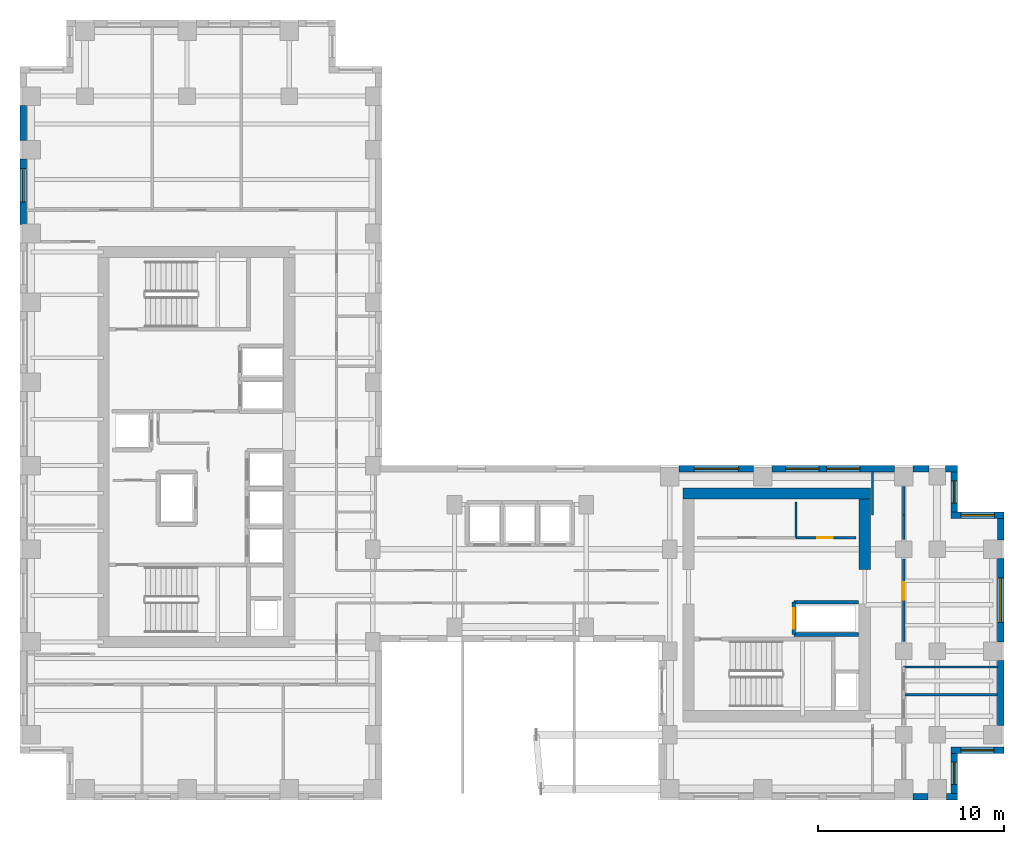
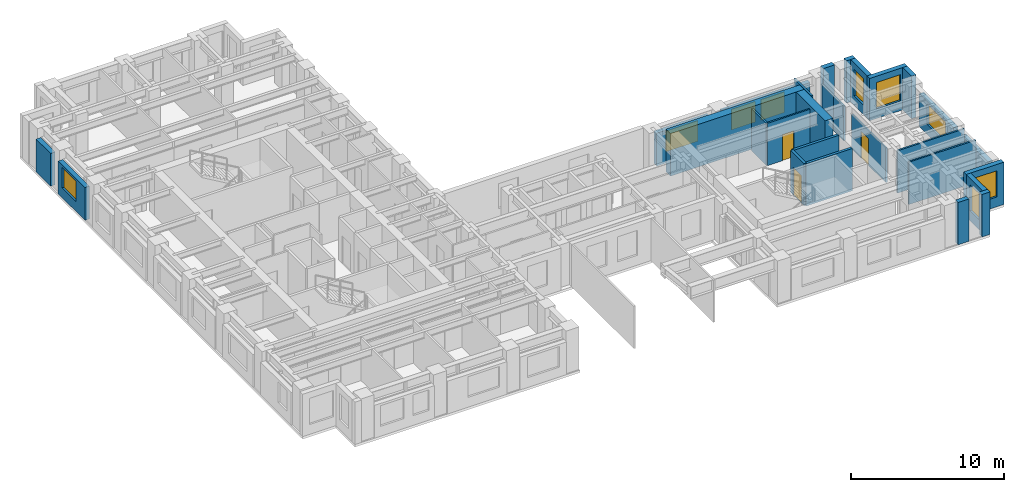
# One storey, part 10 of 13: 28 walls, 9 windows, 3 doors, 12 openings.
"""IFC4 building model written with IfcOpenShell, lengths in metres."""

from ifc_helpers import new_model, si_unit, direction, frame, frame_2d, origin, place, context, subcontext, project, spatial, rectangle, extrude, source, transform, mapped, material, layer, layer_set, type_object, element, fill, save


model = new_model("IFC4")

# Units and contexts
model_context = context("Model", 3, precision=1e-05, world=origin(), true_north=direction((0.0, 1.0)))
body_context = subcontext(model_context, "Body", "Model", "MODEL_VIEW")
ifc_project = project(units=[si_unit("LENGTHUNIT", "METRE"), si_unit("AREAUNIT", "SQUARE_METRE"), si_unit("VOLUMEUNIT", "CUBIC_METRE"), si_unit("PLANEANGLEUNIT", "RADIAN"), si_unit("MASSUNIT", "GRAM", prefix="KILO")], contexts=[model_context])

# Site, building, storey
site_placement = place(None, origin())
site = spatial("IfcSite", under=ifc_project, at=site_placement, CompositionType="ELEMENT")
building_placement = place(site_placement, origin())
building = spatial("IfcBuilding", under=site, at=building_placement, Name="Kharzan Plaza Tower", CompositionType="ELEMENT")
storey_placement = place(building_placement, frame((0.0, 0.0, 175.5)))
storey = spatial("IfcBuildingStorey", under=building, at=storey_placement, Name="L47", CompositionType="ELEMENT", Elevation=175.5)

# Wall, opening, window
ifc_material_1 = material(Name="Concrete C40/50", Category="concrete")
ifc_layer_1 = layer(ifc_material_1, 0.35009765625)
ifc_layer_set_1 = layer_set([ifc_layer_1], Name="Concrete C40/50")
wall_type_1 = type_object("IfcWallType", Name="WL-EXT-MAS-Z3", PredefinedType="SOLIDWALL", material=ifc_layer_set_1)
wall_1_placement = place(storey_placement, frame((0.175048828125, 34.501953125, 0.0), z_axis=(0.0, 0.0, 1.0), x_axis=(0.0, -1.0, 0.0)))
wall_1 = element("IfcWall", 1, at=wall_1_placement, inside=storey, type_object=wall_type_1, Name="L47 Masonry-Frame Exterior Wall 11", PredefinedType="SOLIDWALL", context=body_context, shape_type="SweptSolid", body=[
    extrude(rectangle(XDim=3.50390625, YDim=0.35009765625, at=frame_2d((1.751953125, 0.0))), origin(), (0.0, 0.0, 1.0), 2.612060546875),
])
opening_1_placement = place(wall_1_placement, frame((0.510986328125, 0.0, 0.780029296875)))
opening_1 = element("IfcOpeningElement", 2, at=opening_1_placement, cuts=wall_1, Name="Opening W1", PredefinedType="OPENING", context=body_context, shape_type="SweptSolid", body=[
    extrude(rectangle(XDim=1.800048828125, YDim=1.652099609375, at=frame_2d((0.89990234375, 0.826171875))), frame((0.0, 0.18505859375, 0.0), z_axis=(0.0, -1.0, 0.0), x_axis=(1.0, 0.0, 0.0)), (0.0, 0.0, 1.0), 0.3701171875),
])
ifc_material_2 = material(Name="Low-E Double Glazing", Category="glass")
window_type_1 = type_object("IfcWindowType", Name="WN-REC-1800x2100", PartitioningType="SINGLE_PANEL", PredefinedType="WINDOW", material=ifc_material_2)
shared_shape_1 = source(origin(), body_context, "Body", "SweptSolid", [
    extrude(rectangle(XDim=1.800048828125, YDim=1.652099609375, at=frame_2d((0.89990234375, 0.826171875))), frame((0.0, 0.030029296875, 0.0), z_axis=(0.0, -1.0, 0.0), x_axis=(1.0, 0.0, 0.0)), (0.0, 0.0, 1.0), 0.06005859375),
])
window_1_placement = place(opening_1_placement, origin())
window_1 = element("IfcWindow", 3, at=window_1_placement, inside=storey, type_object=window_type_1, Name="L47 Recessed Solar-Control Window 11-1", OverallHeight=1.652099609375, OverallWidth=1.800048828125, PartitioningType="SINGLE_PANEL", PredefinedType="WINDOW", context=body_context, shape_type="MappedRepresentation", body=[
    mapped(shared_shape_1, transform((0.0, 0.0, 0.0), x_axis=(1.0, 0.0, 0.0), y_axis=(0.0, 1.0, 0.0), z_axis=(0.0, 0.0, 1.0))),
])
fill(opening_1, window_1)

wall_2_placement = place(storey_placement, frame((50.324951171875, 0.347900390625, 0.0), z_axis=(0.0, 0.0, 1.0), x_axis=(0.0, 1.0, 0.0)))
wall_2 = element("IfcWall", 4, at=wall_2_placement, inside=storey, type_object=wall_type_1, Name="L47 Masonry-Frame Exterior Wall 36", PredefinedType="SOLIDWALL", context=body_context, shape_type="SweptSolid", body=[
    extrude(rectangle(XDim=2.154052734375, YDim=0.35009765625, at=frame_2d((1.0771484375, 0.0))), origin(), (0.0, 0.0, 1.0), 3.385009765625),
])
opening_2_placement = place(wall_2_placement, frame((0.47705078125, 0.0, 0.780029296875)))
opening_2 = element("IfcOpeningElement", 5, at=opening_2_placement, cuts=wall_2, Name="Opening W3", PredefinedType="OPENING", context=body_context, shape_type="SweptSolid", body=[
    extrude(rectangle(XDim=1.199951171875, YDim=2.10009765625, at=frame_2d((0.60009765625, 1.050048828125))), frame((0.0, 0.18505859375, 0.0), z_axis=(0.0, -1.0, 0.0), x_axis=(1.0, 0.0, 0.0)), (0.0, 0.0, 1.0), 0.3701171875),
])
window_type_2 = type_object("IfcWindowType", Name="WN-REC-1200x2100", PartitioningType="SINGLE_PANEL", PredefinedType="WINDOW", material=ifc_material_2)
shared_shape_2 = source(origin(), body_context, "Body", "SweptSolid", [
    extrude(rectangle(XDim=1.199951171875, YDim=2.10009765625, at=frame_2d((0.60009765625, 1.050048828125))), frame((0.0, 0.030029296875, 0.0), z_axis=(0.0, -1.0, 0.0), x_axis=(1.0, 0.0, 0.0)), (0.0, 0.0, 1.0), 0.06005859375),
])
window_2_placement = place(opening_2_placement, origin())
window_2 = element("IfcWindow", 6, at=window_2_placement, inside=storey, type_object=window_type_2, Name="L47 Recessed Solar-Control Window 36-1", OverallHeight=2.10009765625, OverallWidth=1.199951171875, PartitioningType="SINGLE_PANEL", PredefinedType="WINDOW", context=body_context, shape_type="MappedRepresentation", body=[
    mapped(shared_shape_2, transform((0.0, 0.0, 0.0), x_axis=(1.0, 0.0, 0.0), y_axis=(0.0, 1.0, 0.0), z_axis=(0.0, 0.0, 1.0))),
])
fill(opening_2, window_2)

wall_3_placement = place(storey_placement, frame((50.14990234375, 2.675048828125, 0.0), z_axis=(0.0, 0.0, 1.0), x_axis=(1.0, 0.0, 0.0)))
wall_3 = element("IfcWall", 7, at=wall_3_placement, inside=storey, type_object=wall_type_1, Name="L47 Masonry-Frame Exterior Wall 37", PredefinedType="SOLIDWALL", context=body_context, shape_type="SweptSolid", body=[
    extrude(rectangle(XDim=2.85009765625, YDim=0.35009765625, at=frame_2d((1.425048828125, 0.0))), origin(), (0.0, 0.0, 1.0), 3.385009765625),
])
opening_3_placement = place(wall_3_placement, frame((0.52490234375, 0.0, 0.780029296875)))
opening_3 = element("IfcOpeningElement", 8, at=opening_3_placement, cuts=wall_3, Name="Opening W1", PredefinedType="OPENING", context=body_context, shape_type="SweptSolid", body=[
    extrude(rectangle(XDim=1.800048828125, YDim=2.10009765625, at=frame_2d((0.89990234375, 1.050048828125))), frame((0.0, 0.18505859375, 0.0), z_axis=(0.0, -1.0, 0.0), x_axis=(1.0, 0.0, 0.0)), (0.0, 0.0, 1.0), 0.3701171875),
])
shared_shape_3 = source(origin(), body_context, "Body", "SweptSolid", [
    extrude(rectangle(XDim=1.800048828125, YDim=2.10009765625, at=frame_2d((0.89990234375, 1.050048828125))), frame((0.0, 0.030029296875, 0.0), z_axis=(0.0, -1.0, 0.0), x_axis=(1.0, 0.0, 0.0)), (0.0, 0.0, 1.0), 0.06005859375),
])
window_3_placement = place(opening_3_placement, origin())
window_3 = element("IfcWindow", 9, at=window_3_placement, inside=storey, type_object=window_type_1, Name="L47 Recessed Solar-Control Window 37-1", OverallHeight=2.10009765625, OverallWidth=1.800048828125, PartitioningType="SINGLE_PANEL", PredefinedType="WINDOW", context=body_context, shape_type="MappedRepresentation", body=[
    mapped(shared_shape_3, transform((0.0, 0.0, 0.0), x_axis=(1.0, 0.0, 0.0), y_axis=(0.0, 1.0, 0.0), z_axis=(0.0, 0.0, 1.0))),
])
fill(opening_3, window_3)

wall_4_placement = place(storey_placement, frame((52.824951171875, 8.498046875, 0.0), z_axis=(0.0, 0.0, 1.0), x_axis=(0.0, 1.0, 0.0)))
wall_4 = element("IfcWall", 10, at=wall_4_placement, inside=storey, type_object=wall_type_1, Name="L47 Masonry-Frame Exterior Wall 39", PredefinedType="SOLIDWALL", context=body_context, shape_type="SweptSolid", body=[
    extrude(rectangle(XDim=4.50390625, YDim=0.35009765625, at=frame_2d((2.251953125, 0.0))), origin(), (0.0, 0.0, 1.0), 2.612060546875),
])
opening_4_placement = place(wall_4_placement, frame((1.052001953125, 0.0, 0.780029296875)))
opening_4 = element("IfcOpeningElement", 11, at=opening_4_placement, cuts=wall_4, Name="Opening W2", PredefinedType="OPENING", context=body_context, shape_type="SweptSolid", body=[
    extrude(rectangle(XDim=2.39990234375, YDim=1.652099609375, at=frame_2d((1.199951171875, 0.826171875))), frame((0.0, 0.18505859375, 0.0), z_axis=(0.0, -1.0, 0.0), x_axis=(1.0, 0.0, 0.0)), (0.0, 0.0, 1.0), 0.3701171875),
])
window_type_3 = type_object("IfcWindowType", Name="WN-REC-2400x2100", PartitioningType="SINGLE_PANEL", PredefinedType="WINDOW", material=ifc_material_2)
shared_shape_4 = source(origin(), body_context, "Body", "SweptSolid", [
    extrude(rectangle(XDim=2.39990234375, YDim=1.652099609375, at=frame_2d((1.199951171875, 0.826171875))), frame((0.0, 0.030029296875, 0.0), z_axis=(0.0, -1.0, 0.0), x_axis=(1.0, 0.0, 0.0)), (0.0, 0.0, 1.0), 0.06005859375),
])
window_4_placement = place(opening_4_placement, origin())
window_4 = element("IfcWindow", 12, at=window_4_placement, inside=storey, type_object=window_type_3, Name="L47 Wide Recessed Solar-Control Window 39-1", OverallHeight=1.652099609375, OverallWidth=2.39990234375, PartitioningType="SINGLE_PANEL", PredefinedType="WINDOW", context=body_context, shape_type="MappedRepresentation", body=[
    mapped(shared_shape_4, transform((0.0, 0.0, 0.0), x_axis=(1.0, 0.0, 0.0), y_axis=(0.0, 1.0, 0.0), z_axis=(0.0, 0.0, 1.0))),
])
fill(opening_4, window_4)

wall_5_placement = place(storey_placement, frame((53.0, 15.324951171875, 0.0), z_axis=(0.0, 0.0, 1.0), x_axis=(-1.0, 0.0, 0.0)))
wall_5 = element("IfcWall", 13, at=wall_5_placement, inside=storey, type_object=wall_type_1, Name="L47 Masonry-Frame Exterior Wall 41", PredefinedType="SOLIDWALL", context=body_context, shape_type="SweptSolid", body=[
    extrude(rectangle(XDim=2.85009765625, YDim=0.35009765625, at=frame_2d((1.425048828125, 0.0))), origin(), (0.0, 0.0, 1.0), 3.385009765625),
])
opening_5_placement = place(wall_5_placement, frame((0.52490234375, 0.0, 0.780029296875)))
opening_5 = element("IfcOpeningElement", 14, at=opening_5_placement, cuts=wall_5, Name="Opening W1", PredefinedType="OPENING", context=body_context, shape_type="SweptSolid", body=[
    extrude(rectangle(XDim=1.800048828125, YDim=2.10009765625, at=frame_2d((0.89990234375, 1.050048828125))), frame((0.0, 0.18505859375, 0.0), z_axis=(0.0, -1.0, 0.0), x_axis=(1.0, 0.0, 0.0)), (0.0, 0.0, 1.0), 0.3701171875),
])
window_5_placement = place(opening_5_placement, origin())
window_5 = element("IfcWindow", 15, at=window_5_placement, inside=storey, type_object=window_type_1, Name="L47 Recessed Solar-Control Window 41-1", OverallHeight=2.10009765625, OverallWidth=1.800048828125, PartitioningType="SINGLE_PANEL", PredefinedType="WINDOW", context=body_context, shape_type="MappedRepresentation", body=[
    mapped(shared_shape_3, transform((0.0, 0.0, 0.0), x_axis=(1.0, 0.0, 0.0), y_axis=(0.0, 1.0, 0.0), z_axis=(0.0, 0.0, 1.0))),
])
fill(opening_5, window_5)

wall_6_placement = place(storey_placement, frame((50.324951171875, 15.498046875, 0.0), z_axis=(0.0, 0.0, 1.0), x_axis=(0.0, 1.0, 0.0)))
wall_6 = element("IfcWall", 16, at=wall_6_placement, inside=storey, type_object=wall_type_1, Name="L47 Masonry-Frame Exterior Wall 42", PredefinedType="SOLIDWALL", context=body_context, shape_type="SweptSolid", body=[
    extrude(rectangle(XDim=2.154052734375, YDim=0.35009765625, at=frame_2d((1.0771484375, 0.0))), origin(), (0.0, 0.0, 1.0), 3.385009765625),
])
opening_6_placement = place(wall_6_placement, frame((0.47705078125, 0.0, 0.780029296875)))
opening_6 = element("IfcOpeningElement", 17, at=opening_6_placement, cuts=wall_6, Name="Opening W3", PredefinedType="OPENING", context=body_context, shape_type="SweptSolid", body=[
    extrude(rectangle(XDim=1.199951171875, YDim=2.10009765625, at=frame_2d((0.60009765625, 1.050048828125))), frame((0.0, 0.18505859375, 0.0), z_axis=(0.0, -1.0, 0.0), x_axis=(1.0, 0.0, 0.0)), (0.0, 0.0, 1.0), 0.3701171875),
])
window_6_placement = place(opening_6_placement, origin())
window_6 = element("IfcWindow", 18, at=window_6_placement, inside=storey, type_object=window_type_2, Name="L47 Recessed Solar-Control Window 42-1", OverallHeight=2.10009765625, OverallWidth=1.199951171875, PartitioningType="SINGLE_PANEL", PredefinedType="WINDOW", context=body_context, shape_type="MappedRepresentation", body=[
    mapped(shared_shape_2, transform((0.0, 0.0, 0.0), x_axis=(1.0, 0.0, 0.0), y_axis=(0.0, 1.0, 0.0), z_axis=(0.0, 0.0, 1.0))),
])
fill(opening_6, window_6)

# Wall, openings, windows
wall_7_placement = place(storey_placement, frame((47.10205078125, 17.824951171875, 0.0), z_axis=(0.0, 0.0, 1.0), x_axis=(-1.0, 0.0, 0.0)))
wall_7 = element("IfcWall", 19, at=wall_7_placement, inside=storey, type_object=wall_type_1, Name="L47 Masonry-Frame Exterior Wall 45", PredefinedType="SOLIDWALL", context=body_context, shape_type="SweptSolid", body=[
    extrude(rectangle(XDim=6.60400390625, YDim=0.35009765625, at=frame_2d((3.302001953125, 0.0))), origin(), (0.0, 0.0, 1.0), 2.612060546875),
])
opening_7_placement = place(wall_7_placement, frame((1.849365234375, 0.0, 0.780029296875)))
opening_7 = element("IfcOpeningElement", 20, at=opening_7_placement, cuts=wall_7, Name="Opening W1", PredefinedType="OPENING", context=body_context, shape_type="SweptSolid", body=[
    extrude(rectangle(XDim=1.800048828125, YDim=1.652099609375, at=frame_2d((0.89990234375, 0.826171875))), frame((0.0, 0.18505859375, 0.0), z_axis=(0.0, -1.0, 0.0), x_axis=(1.0, 0.0, 0.0)), (0.0, 0.0, 1.0), 0.3701171875),
])
opening_8_placement = place(wall_7_placement, frame((4.066650390625, 0.0, 0.780029296875)))
opening_8 = element("IfcOpeningElement", 21, at=opening_8_placement, cuts=wall_7, Name="Opening W1", PredefinedType="OPENING", context=body_context, shape_type="SweptSolid", body=[
    extrude(rectangle(XDim=1.800048828125, YDim=1.652099609375, at=frame_2d((0.89990234375, 0.826171875))), frame((0.0, 0.18505859375, 0.0), z_axis=(0.0, -1.0, 0.0), x_axis=(1.0, 0.0, 0.0)), (0.0, 0.0, 1.0), 0.3701171875),
])
window_7_placement = place(opening_7_placement, origin())
window_7 = element("IfcWindow", 22, at=window_7_placement, inside=storey, type_object=window_type_1, Name="L47 Recessed Solar-Control Window 45-1", OverallHeight=1.652099609375, OverallWidth=1.800048828125, PartitioningType="SINGLE_PANEL", PredefinedType="WINDOW", context=body_context, shape_type="MappedRepresentation", body=[
    mapped(shared_shape_1, transform((0.0, 0.0, 0.0), x_axis=(1.0, 0.0, 0.0), y_axis=(0.0, 1.0, 0.0), z_axis=(0.0, 0.0, 1.0))),
])
fill(opening_7, window_7)
window_8_placement = place(opening_8_placement, origin())
window_8 = element("IfcWindow", 23, at=window_8_placement, inside=storey, type_object=window_type_1, Name="L47 Recessed Solar-Control Window 45-2", OverallHeight=1.652099609375, OverallWidth=1.800048828125, PartitioningType="SINGLE_PANEL", PredefinedType="WINDOW", context=body_context, shape_type="MappedRepresentation", body=[
    mapped(shared_shape_1, transform((0.0, 0.0, 0.0), x_axis=(1.0, 0.0, 0.0), y_axis=(0.0, 1.0, 0.0), z_axis=(0.0, 0.0, 1.0))),
])
fill(opening_8, window_8)

# Wall, opening, window
wall_8_placement = place(storey_placement, frame((39.501953125, 17.824951171875, 0.0), z_axis=(0.0, 0.0, 1.0), x_axis=(-1.0, 0.0, 0.0)))
wall_8 = element("IfcWall", 24, at=wall_8_placement, inside=storey, type_object=wall_type_1, Name="L47 Masonry-Frame Exterior Wall 46", PredefinedType="SOLIDWALL", context=body_context, shape_type="SweptSolid", body=[
    extrude(rectangle(XDim=4.00390625, YDim=0.35009765625, at=frame_2d((2.001953125, 0.0))), origin(), (0.0, 0.0, 1.0), 2.612060546875),
])
opening_9_placement = place(wall_8_placement, frame((0.802001953125, 0.0, 0.780029296875)))
opening_9 = element("IfcOpeningElement", 25, at=opening_9_placement, cuts=wall_8, Name="Opening W2", PredefinedType="OPENING", context=body_context, shape_type="SweptSolid", body=[
    extrude(rectangle(XDim=2.39990234375, YDim=1.652099609375, at=frame_2d((1.199951171875, 0.826171875))), frame((0.0, 0.18505859375, 0.0), z_axis=(0.0, -1.0, 0.0), x_axis=(1.0, 0.0, 0.0)), (0.0, 0.0, 1.0), 0.3701171875),
])
window_9_placement = place(opening_9_placement, origin())
window_9 = element("IfcWindow", 26, at=window_9_placement, inside=storey, type_object=window_type_3, Name="L47 Wide Recessed Solar-Control Window 46-1", OverallHeight=1.652099609375, OverallWidth=2.39990234375, PartitioningType="SINGLE_PANEL", PredefinedType="WINDOW", context=body_context, shape_type="MappedRepresentation", body=[
    mapped(shared_shape_4, transform((0.0, 0.0, 0.0), x_axis=(1.0, 0.0, 0.0), y_axis=(0.0, 1.0, 0.0), z_axis=(0.0, 0.0, 1.0))),
])
fill(opening_9, window_9)

# Wall, opening, door
ifc_material_3 = material(Name="Fire-Rated Gypsum Board Partition", Category="gypsum")
ifc_layer_2 = layer(ifc_material_3, 0.125)
ifc_layer_set_2 = layer_set([ifc_layer_2], Name="Fire-Rated Gypsum Board Partition")
wall_type_2 = type_object("IfcWallType", Name="WL-INT-PART-125", PredefinedType="PARTITIONING", material=ifc_layer_set_2)
wall_9_placement = place(storey_placement, frame((41.800048828125, 14.1201171875, 0.0), z_axis=(0.0, 0.0, 1.0), x_axis=(1.0, 0.0, 0.0)))
wall_9 = element("IfcWall", 27, at=wall_9_placement, inside=storey, type_object=wall_type_2, Name="L47 Interior Partition CB-RBLSB", PredefinedType="PARTITIONING", context=body_context, shape_type="SweptSolid", body=[
    extrude(rectangle(XDim=3.219970703125, YDim=0.125, at=frame_2d((1.60986328125, 0.0))), origin(), (0.0, 0.0, 1.0), 3.385009765625),
])
opening_10_placement = place(wall_9_placement, frame((1.135009765625, 0.0, 0.0)))
opening_10 = element("IfcOpeningElement", 28, at=opening_10_placement, cuts=wall_9, Name="Opening RD1", PredefinedType="OPENING", context=body_context, shape_type="SweptSolid", body=[
    extrude(rectangle(XDim=0.85009765625, YDim=2.10009765625, at=frame_2d((0.425048828125, 1.050048828125))), frame((0.0, 0.072509765625, 0.0), z_axis=(0.0, -1.0, 0.0), x_axis=(1.0, 0.0, 0.0)), (0.0, 0.0, 1.0), 0.14501953125),
])
ifc_material_4 = material(Name="Powder-Coated Fire-Rated Steel", Category="steel")
door_type_1 = type_object("IfcDoorType", Name="DR-RISER-900", OperationType="NOTDEFINED", PredefinedType="DOOR", material=ifc_material_4)
shared_shape_5 = source(origin(), body_context, "Body", "SweptSolid", [
    extrude(rectangle(XDim=0.85009765625, YDim=2.10009765625, at=frame_2d((0.425048828125, 1.050048828125))), frame((0.0, 0.02490234375, 0.0), z_axis=(0.0, -1.0, 0.0), x_axis=(1.0, 0.0, 0.0)), (0.0, 0.0, 1.0), 0.050048828125),
])
door_1_placement = place(opening_10_placement, origin())
door_1 = element("IfcDoor", 29, at=door_1_placement, inside=storey, type_object=door_type_1, Name="L47 Housekeeping Store Door", OperationType="SINGLE_SWING_LEFT", OverallHeight=2.10009765625, OverallWidth=0.85009765625, PredefinedType="DOOR", context=body_context, shape_type="MappedRepresentation", body=[
    mapped(shared_shape_5, transform((0.0, 0.0, 0.0), x_axis=(1.0, 0.0, 0.0), y_axis=(0.0, 1.0, 0.0), z_axis=(0.0, 0.0, 1.0))),
])
fill(opening_10, door_1)

wall_10_placement = place(storey_placement, frame((47.60009765625, 8.52001953125, 0.0), z_axis=(0.0, 0.0, 1.0), x_axis=(0.0, 1.0, 0.0)))
wall_10 = element("IfcWall", 30, at=wall_10_placement, inside=storey, type_object=wall_type_2, Name="L47 Interior Partition SH-B0W1-S1", PredefinedType="PARTITIONING", context=body_context, shape_type="SweptSolid", body=[
    extrude(rectangle(XDim=4.4599609375, YDim=0.125, at=frame_2d((2.22998046875, 0.0))), origin(), (0.0, 0.0, 1.0), 2.77294921875),
])
opening_11_placement = place(wall_10_placement, frame((2.2548828125, 0.0, 0.0)))
opening_11 = element("IfcOpeningElement", 31, at=opening_11_placement, cuts=wall_10, Name="Opening OD1", PredefinedType="OPENING", context=body_context, shape_type="SweptSolid", body=[
    extrude(rectangle(XDim=0.949951171875, YDim=2.14990234375, at=frame_2d((0.47509765625, 1.074951171875))), frame((0.0, 0.072509765625, 0.0), z_axis=(0.0, -1.0, 0.0), x_axis=(1.0, 0.0, 0.0)), (0.0, 0.0, 1.0), 0.14501953125),
])
ifc_material_5 = material(Name="Acoustic Solid-Core Stained Oak", Category="timber")
door_type_2 = type_object("IfcDoorType", Name="DR-OFF-SINGLE", OperationType="NOTDEFINED", PredefinedType="DOOR", material=ifc_material_5)
shared_shape_6 = source(origin(), body_context, "Body", "SweptSolid", [
    extrude(rectangle(XDim=0.949951171875, YDim=2.14990234375, at=frame_2d((0.47509765625, 1.074951171875))), frame((0.0, 0.02490234375, 0.0), z_axis=(0.0, -1.0, 0.0), x_axis=(1.0, 0.0, 0.0)), (0.0, 0.0, 1.0), 0.050048828125),
])
door_2_placement = place(opening_11_placement, origin())
door_2 = element("IfcDoor", 32, at=door_2_placement, inside=storey, type_object=door_type_2, Name="L47 Open Engineering Workspace Door", OperationType="SINGLE_SWING_LEFT", OverallHeight=2.14990234375, OverallWidth=0.949951171875, PredefinedType="DOOR", context=body_context, shape_type="MappedRepresentation", body=[
    mapped(shared_shape_6, transform((0.0, 0.0, 0.0), x_axis=(1.0, 0.0, 0.0), y_axis=(0.0, 1.0, 0.0), z_axis=(0.0, 0.0, 1.0))),
])
fill(opening_11, door_2)

ifc_layer_3 = layer(ifc_material_1, 0.199951171875)
ifc_layer_set_3 = layer_set([ifc_layer_3], Name="Concrete C40/50")
wall_type_3 = type_object("IfcWallType", Name="WL-INT-SHAFT-200", PredefinedType="PARTITIONING", material=ifc_layer_set_3)
wall_11_placement = place(storey_placement, frame((41.679931640625, 8.89990234375, 0.0), z_axis=(0.0, 0.0, 1.0), x_axis=(0.0, 1.0, 0.0)))
wall_11 = element("IfcWall", 33, at=wall_11_placement, inside=storey, type_object=wall_type_3, Name="L47 Interior Partition SHF-SVL-2-W", PredefinedType="PARTITIONING", context=body_context, shape_type="SweptSolid", body=[
    extrude(rectangle(XDim=1.739990234375, YDim=0.199951171875, at=frame_2d((0.8701171875, 0.0))), origin(), (0.0, 0.0, 1.0), 3.385009765625),
])
opening_12_placement = place(wall_11_placement, frame((0.320068359375, 0.0, 0.0)))
opening_12 = element("IfcOpeningElement", 34, at=opening_12_placement, cuts=wall_11, Name="Opening LD", PredefinedType="OPENING", context=body_context, shape_type="SweptSolid", body=[
    extrude(rectangle(XDim=1.10009765625, YDim=2.199951171875, at=frame_2d((0.550048828125, 1.10009765625))), frame((0.0, 0.10986328125, 0.0), z_axis=(0.0, -1.0, 0.0), x_axis=(1.0, 0.0, 0.0)), (0.0, 0.0, 1.0), 0.219970703125),
])
ifc_material_6 = material(Name="Brushed Stainless Steel", Category="steel")
door_type_3 = type_object("IfcDoorType", Name="DR-LIFT-SLIDE", OperationType="SLIDING_TO_LEFT", PredefinedType="DOOR", material=ifc_material_6)
shared_shape_7 = source(origin(), body_context, "Body", "SweptSolid", [
    extrude(rectangle(XDim=1.10009765625, YDim=2.199951171875, at=frame_2d((0.550048828125, 1.10009765625))), frame((0.0, 0.02490234375, 0.0), z_axis=(0.0, -1.0, 0.0), x_axis=(1.0, 0.0, 0.0)), (0.0, 0.0, 1.0), 0.050048828125),
])
door_3_placement = place(opening_12_placement, origin())
door_3 = element("IfcDoor", 35, at=door_3_placement, inside=storey, type_object=door_type_3, Name="L47 Service Lift SVL-2 Sliding Landing Door", OperationType="SLIDING_TO_LEFT", OverallHeight=2.199951171875, OverallWidth=1.10009765625, PredefinedType="DOOR", context=body_context, shape_type="MappedRepresentation", body=[
    mapped(shared_shape_7, transform((0.0, 0.0, 0.0), x_axis=(1.0, 0.0, 0.0), y_axis=(0.0, 1.0, 0.0), z_axis=(0.0, 0.0, 1.0))),
])
fill(opening_12, door_3)

# Walls
ifc_material_7 = material(Name="Concrete C50/60", Category="concrete")
ifc_layer_4 = layer(ifc_material_7, 0.60009765625)
ifc_layer_set_4 = layer_set([ifc_layer_4], Name="Concrete C50/60")
wall_type_4 = type_object("IfcWallType", Name="WL-CORE-600", PredefinedType="SHEAR", material=ifc_layer_set_4)
shared_shape_8 = source(origin(), body_context, "Body", "SweptSolid", [
    extrude(rectangle(XDim=3.800048828125, YDim=0.60009765625, at=frame_2d((1.89990234375, 0.0))), origin(), (0.0, 0.0, 1.0), 3.39990234375),
])
wall_12_placement = place(storey_placement, frame((45.5, 12.39990234375, 0.0), z_axis=(0.0, 0.0, 1.0), x_axis=(0.0, 1.0, 0.0)))
element("IfcWall", 36, at=wall_12_placement, inside=storey, type_object=wall_type_4, Name="L47 CORE-B east shear pier 2", PredefinedType="SHEAR", context=body_context, shape_type="MappedRepresentation", body=[
    mapped(shared_shape_8, transform((0.0, 0.0, 0.0), x_axis=(1.0, 0.0, 0.0), y_axis=(0.0, 1.0, 0.0), z_axis=(0.0, 0.0, 1.0))),
])
shared_shape_9 = source(origin(), body_context, "Body", "SweptSolid", [
    extrude(rectangle(XDim=10.10009765625, YDim=0.60009765625, at=frame_2d((5.050048828125, 0.0))), origin(), (0.0, 0.0, 1.0), 3.39990234375),
])
wall_13_placement = place(storey_placement, frame((35.699951171875, 16.5, 0.0), z_axis=(0.0, 0.0, 1.0), x_axis=(1.0, 0.0, 0.0)))
element("IfcWall", 37, at=wall_13_placement, inside=storey, type_object=wall_type_4, Name="L47 CORE-B north RC shear wall", PredefinedType="SHEAR", context=body_context, shape_type="MappedRepresentation", body=[
    mapped(shared_shape_9, transform((0.0, 0.0, 0.0), x_axis=(1.0, 0.0, 0.0), y_axis=(0.0, 1.0, 0.0), z_axis=(0.0, 0.0, 1.0))),
])
shared_shape_10 = source(origin(), body_context, "Body", "SweptSolid", [
    extrude(rectangle(XDim=0.80419921875, YDim=0.35009765625, at=frame_2d((0.402099609375, 0.0))), origin(), (0.0, 0.0, 1.0), 3.385009765625),
])
wall_14_placement = place(storey_placement, frame((48.097900390625, 0.175048828125, 0.0), z_axis=(0.0, 0.0, 1.0), x_axis=(1.0, 0.0, 0.0)))
element("IfcWall", 38, at=wall_14_placement, inside=storey, type_object=wall_type_1, Name="L47 Masonry-Frame Exterior Wall 34", PredefinedType="SOLIDWALL", context=body_context, shape_type="MappedRepresentation", body=[
    mapped(shared_shape_10, transform((0.0, 0.0, 0.0), x_axis=(1.0, 0.0, 0.0), y_axis=(0.0, 1.0, 0.0), z_axis=(0.0, 0.0, 1.0))),
])
shared_shape_11 = source(origin(), body_context, "Body", "SweptSolid", [
    extrude(rectangle(XDim=0.60205078125, YDim=0.35009765625, at=frame_2d((0.301025390625, 0.0))), origin(), (0.0, 0.0, 1.0), 3.385009765625),
])
wall_15_placement = place(storey_placement, frame((49.89794921875, 0.175048828125, 0.0), z_axis=(0.0, 0.0, 1.0), x_axis=(1.0, 0.0, 0.0)))
element("IfcWall", 39, at=wall_15_placement, inside=storey, type_object=wall_type_1, Name="L47 Masonry-Frame Exterior Wall 35", PredefinedType="SOLIDWALL", context=body_context, shape_type="MappedRepresentation", body=[
    mapped(shared_shape_11, transform((0.0, 0.0, 0.0), x_axis=(1.0, 0.0, 0.0), y_axis=(0.0, 1.0, 0.0), z_axis=(0.0, 0.0, 1.0))),
])
shared_shape_12 = source(origin(), body_context, "Body", "SweptSolid", [
    extrude(rectangle(XDim=1.154052734375, YDim=0.35009765625, at=frame_2d((0.5771484375, 0.0))), origin(), (0.0, 0.0, 1.0), 3.385009765625),
])
wall_16_placement = place(storey_placement, frame((52.824951171875, 13.998046875, 0.0), z_axis=(0.0, 0.0, 1.0), x_axis=(0.0, 1.0, 0.0)))
element("IfcWall", 40, at=wall_16_placement, inside=storey, type_object=wall_type_1, Name="L47 Masonry-Frame Exterior Wall 40", PredefinedType="SOLIDWALL", context=body_context, shape_type="MappedRepresentation", body=[
    mapped(shared_shape_12, transform((0.0, 0.0, 0.0), x_axis=(1.0, 0.0, 0.0), y_axis=(0.0, 1.0, 0.0), z_axis=(0.0, 0.0, 1.0))),
])
shared_shape_13 = source(origin(), body_context, "Body", "SweptSolid", [
    extrude(rectangle(XDim=0.652099609375, YDim=0.35009765625, at=frame_2d((0.326171875, 0.0))), origin(), (0.0, 0.0, 1.0), 3.385009765625),
])
wall_17_placement = place(storey_placement, frame((50.5, 17.824951171875, 0.0), z_axis=(0.0, 0.0, 1.0), x_axis=(-1.0, 0.0, 0.0)))
element("IfcWall", 41, at=wall_17_placement, inside=storey, type_object=wall_type_1, Name="L47 Masonry-Frame Exterior Wall 43", PredefinedType="SOLIDWALL", context=body_context, shape_type="MappedRepresentation", body=[
    mapped(shared_shape_13, transform((0.0, 0.0, 0.0), x_axis=(1.0, 0.0, 0.0), y_axis=(0.0, 1.0, 0.0), z_axis=(0.0, 0.0, 1.0))),
])
shared_shape_14 = source(origin(), body_context, "Body", "SweptSolid", [
    extrude(rectangle(XDim=0.85400390625, YDim=0.35009765625, at=frame_2d((0.427001953125, 0.0))), origin(), (0.0, 0.0, 1.0), 3.385009765625),
])
wall_18_placement = place(storey_placement, frame((48.951904296875, 17.824951171875, 0.0), z_axis=(0.0, 0.0, 1.0), x_axis=(-1.0, 0.0, 0.0)))
element("IfcWall", 42, at=wall_18_placement, inside=storey, type_object=wall_type_1, Name="L47 Masonry-Frame Exterior Wall 44", PredefinedType="SOLIDWALL", context=body_context, shape_type="MappedRepresentation", body=[
    mapped(shared_shape_14, transform((0.0, 0.0, 0.0), x_axis=(1.0, 0.0, 0.0), y_axis=(0.0, 1.0, 0.0), z_axis=(0.0, 0.0, 1.0))),
])
shared_shape_15 = source(origin(), body_context, "Body", "SweptSolid", [
    extrude(rectangle(XDim=1.929931640625, YDim=0.125, at=frame_2d((0.96484375, 0.0))), origin(), (0.0, 0.0, 1.0), 3.385009765625),
])
wall_19_placement = place(storey_placement, frame((41.800048828125, 14.1201171875, 0.0), z_axis=(0.0, 0.0, 1.0), x_axis=(0.0, 1.0, 0.0)))
element("IfcWall", 43, at=wall_19_placement, inside=storey, type_object=wall_type_2, Name="L47 Interior Partition CB-RBLM2", PredefinedType="PARTITIONING", context=body_context, shape_type="MappedRepresentation", body=[
    mapped(shared_shape_15, transform((0.0, 0.0, 0.0), x_axis=(1.0, 0.0, 0.0), y_axis=(0.0, 1.0, 0.0), z_axis=(0.0, 0.0, 1.0))),
])
shared_shape_16 = source(origin(), body_context, "Body", "SweptSolid", [
    extrude(rectangle(XDim=5.0478515625, YDim=0.125, at=frame_2d((2.52392578125, 0.0))), origin(), (0.0, 0.0, 1.0), 3.385009765625),
])
for number, where, z_axis, x_axis, name in (
    (44, (47.60009765625, 5.64990234375, 0.0), (0.0, 0.0, 1.0), (1.0, 0.0, 0.0), "L47 Interior Partition SH-B0H1"),
    (45, (47.60009765625, 7.14990234375, 0.0), (0.0, 0.0, 1.0), (1.0, 0.0, 0.0), "L47 Interior Partition SH-B0H2"),
):
    element("IfcWall", number, at=place(storey_placement, frame(where, z_axis=z_axis, x_axis=x_axis)), inside=storey, type_object=wall_type_2, Name=name, PredefinedType="PARTITIONING", context=body_context, shape_type="MappedRepresentation", body=[
        mapped(shared_shape_16, transform((0.0, 0.0, 0.0), x_axis=(1.0, 0.0, 0.0), y_axis=(0.0, 1.0, 0.0), z_axis=(0.0, 0.0, 1.0))),
    ])
shared_shape_17 = source(origin(), body_context, "Body", "SweptSolid", [
    extrude(rectangle(XDim=1.52978515625, YDim=0.125, at=frame_2d((0.764892578125, 0.0))), origin(), (0.0, 0.0, 1.0), 2.77294921875),
])
wall_20_placement = place(storey_placement, frame((47.60009765625, 15.35009765625, 0.0), z_axis=(0.0, 0.0, 1.0), x_axis=(0.0, 1.0, 0.0)))
element("IfcWall", 46, at=wall_20_placement, inside=storey, type_object=wall_type_2, Name="L47 Interior Partition SH-B0W1N", PredefinedType="PARTITIONING", context=body_context, shape_type="MappedRepresentation", body=[
    mapped(shared_shape_17, transform((0.0, 0.0, 0.0), x_axis=(1.0, 0.0, 0.0), y_axis=(0.0, 1.0, 0.0), z_axis=(0.0, 0.0, 1.0))),
])
shared_shape_18 = source(origin(), body_context, "Body", "SweptSolid", [
    extrude(rectangle(XDim=2.2978515625, YDim=0.125, at=frame_2d((1.14892578125, 0.0))), origin(), (0.0, 0.0, 1.0), 3.385009765625),
])
wall_21_placement = place(storey_placement, frame((45.919921875, 15.35009765625, 0.0), z_axis=(0.0, 0.0, 1.0), x_axis=(0.0, 1.0, 0.0)))
element("IfcWall", 47, at=wall_21_placement, inside=storey, type_object=wall_type_2, Name="L47 Interior Partition SH-RBNE0", PredefinedType="PARTITIONING", context=body_context, shape_type="MappedRepresentation", body=[
    mapped(shared_shape_18, transform((0.0, 0.0, 0.0), x_axis=(1.0, 0.0, 0.0), y_axis=(0.0, 1.0, 0.0), z_axis=(0.0, 0.0, 1.0))),
])
shared_shape_19 = source(origin(), body_context, "Body", "SweptSolid", [
    extrude(rectangle(XDim=3.489990234375, YDim=0.199951171875, at=frame_2d((1.7451171875, 0.0))), origin(), (0.0, 0.0, 1.0), 3.385009765625),
])
for number, where, z_axis, x_axis, name in (
    (48, (41.679931640625, 10.639892578125, 0.0), (0.0, 0.0, 1.0), (1.0, 0.0, 0.0), "L47 Interior Partition SHF-SVL-2-N"),
    (49, (41.679931640625, 8.89990234375, 0.0), (0.0, 0.0, 1.0), (1.0, 0.0, 0.0), "L47 Interior Partition SHF-SVL-2-S"),
):
    element("IfcWall", number, at=place(storey_placement, frame(where, z_axis=z_axis, x_axis=x_axis)), inside=storey, type_object=wall_type_3, Name=name, PredefinedType="PARTITIONING", context=body_context, shape_type="MappedRepresentation", body=[
        mapped(shared_shape_19, transform((0.0, 0.0, 0.0), x_axis=(1.0, 0.0, 0.0), y_axis=(0.0, 1.0, 0.0), z_axis=(0.0, 0.0, 1.0))),
    ])
shared_shape_20 = source(origin(), body_context, "Body", "SweptSolid", [
    extrude(rectangle(XDim=1.904052734375, YDim=0.35009765625, at=frame_2d((0.9521484375, 0.0))), origin(), (0.0, 0.0, 1.0), 2.612060546875),
])
wall_22_placement = place(storey_placement, frame((0.175048828125, 37.402099609375, 0.0), z_axis=(0.0, 0.0, 1.0), x_axis=(0.0, -1.0, 0.0)))
element("IfcWall", 50, at=wall_22_placement, inside=storey, type_object=wall_type_1, Name="L47 Masonry-Frame Exterior Wall 10", PredefinedType="SOLIDWALL", context=body_context, shape_type="MappedRepresentation", body=[
    mapped(shared_shape_20, transform((0.0, 0.0, 0.0), x_axis=(1.0, 0.0, 0.0), y_axis=(0.0, 1.0, 0.0), z_axis=(0.0, 0.0, 1.0))),
])
shared_shape_21 = source(origin(), body_context, "Body", "SweptSolid", [
    extrude(rectangle(XDim=3.50390625, YDim=0.35009765625, at=frame_2d((1.751953125, 0.0))), origin(), (0.0, 0.0, 1.0), 2.612060546875),
])
wall_23_placement = place(storey_placement, frame((52.824951171875, 3.998046875, 0.0), z_axis=(0.0, 0.0, 1.0), x_axis=(0.0, 1.0, 0.0)))
element("IfcWall", 51, at=wall_23_placement, inside=storey, type_object=wall_type_1, Name="L47 Masonry-Frame Exterior Wall 38", PredefinedType="SOLIDWALL", context=body_context, shape_type="MappedRepresentation", body=[
    mapped(shared_shape_21, transform((0.0, 0.0, 0.0), x_axis=(1.0, 0.0, 0.0), y_axis=(0.0, 1.0, 0.0), z_axis=(0.0, 0.0, 1.0))),
])
shared_shape_22 = source(origin(), body_context, "Body", "SweptSolid", [
    extrude(rectangle(XDim=1.330078125, YDim=0.125, at=frame_2d((0.6650390625, 0.0))), origin(), (0.0, 0.0, 1.0), 2.77294921875),
])
wall_24_placement = place(storey_placement, frame((47.60009765625, 14.02001953125, 0.0), z_axis=(0.0, 0.0, 1.0), x_axis=(0.0, 1.0, 0.0)))
element("IfcWall", 52, at=wall_24_placement, inside=storey, type_object=wall_type_2, Name="L47 Interior Partition SH-B0W1-S2", PredefinedType="PARTITIONING", context=body_context, shape_type="MappedRepresentation", body=[
    mapped(shared_shape_22, transform((0.0, 0.0, 0.0), x_axis=(1.0, 0.0, 0.0), y_axis=(0.0, 1.0, 0.0), z_axis=(0.0, 0.0, 1.0))),
])

save(model, "model.ifc")
